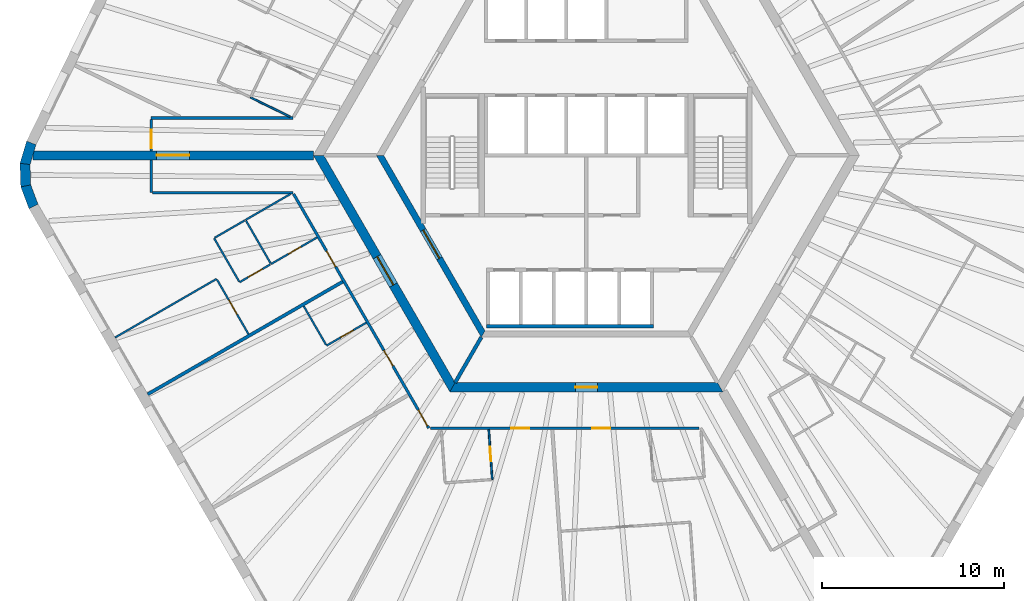
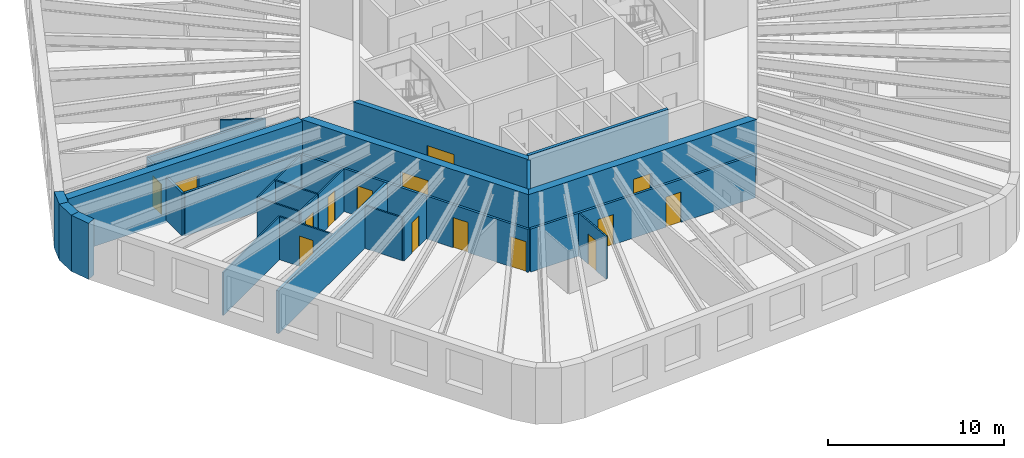
# One storey, part 3 of 10: 28 walls, 15 doors, 15 openings.
"""IFC4 building model written with IfcOpenShell, lengths in metres."""

from ifc_helpers import new_model, si_unit, direction, frame, frame_2d, origin, place, context, subcontext, project, spatial, polyline, rectangle, outline, extrude, material, layer, layer_set, type_object, element, fill, save


model = new_model("IFC4")

# Units and contexts
model_context = context("Model", 3, precision=1e-05, world=origin(), true_north=direction((0.0, 1.0)))
body_context = subcontext(model_context, "Body", "Model", "MODEL_VIEW")
ifc_project = project(units=[si_unit("LENGTHUNIT", "METRE"), si_unit("AREAUNIT", "SQUARE_METRE"), si_unit("VOLUMEUNIT", "CUBIC_METRE"), si_unit("PLANEANGLEUNIT", "RADIAN"), si_unit("MASSUNIT", "GRAM", prefix="KILO")], contexts=[model_context])

# Site, building, storey
site_placement = place(None, origin())
site = spatial("IfcSite", under=ifc_project, at=site_placement, CompositionType="ELEMENT")
building_placement = place(site_placement, origin())
building = spatial("IfcBuilding", under=site, at=building_placement, Name="Tarnside Tower", CompositionType="ELEMENT")
storey_placement = place(building_placement, frame((0.0, 0.0, 172.199951171875)))
storey = spatial("IfcBuildingStorey", under=building, at=storey_placement, Name="L40", CompositionType="ELEMENT", Elevation=172.199951171875)

# Walls
ifc_material_1 = material(Name="Gypsum board partition on steel studs", Category="steel")
ifc_layer_1 = layer(ifc_material_1, 0.10009765625)
ifc_layer_set_1 = layer_set([ifc_layer_1], Name="Bathroom wall 100")
wall_type_1 = type_object("IfcWallType", Name="Bathroom wall 100", PredefinedType="PARTITIONING", material=ifc_layer_set_1)
wall_1_placement = place(storey_placement, frame((-16.290771484375, 2.125, 0.0), z_axis=(0.0, 0.0, 1.0), x_axis=(-0.898785911157, 0.438387825909, 0.0)))
element("IfcWall", 1, at=wall_1_placement, inside=storey, type_object=wall_type_1, Name="Bathroom wall 12052", PredefinedType="PARTITIONING", context=body_context, shape_type="SweptSolid", body=[
    extrude(rectangle(XDim=2.41796875, YDim=0.10009765625, at=frame_2d((1.208984375, 0.0))), origin(), (0.0, 0.0, 1.0), 2.98779296875),
])
wall_2_placement = place(storey_placement, frame((-18.735107421875, -3.550048828125, 0.0), z_axis=(0.0, 0.0, 1.0), x_axis=(0.866025820012, 0.499999279071, 0.0)))
element("IfcWall", 2, at=wall_2_placement, inside=storey, type_object=wall_type_1, Name="Bathroom wall 12061", PredefinedType="PARTITIONING", context=body_context, shape_type="SweptSolid", body=[
    extrude(rectangle(XDim=2.85009765625, YDim=0.10009765625, at=frame_2d((1.425048828125, 0.0))), origin(), (0.0, 0.0, 1.0), 2.98779296875),
])

# Wall, opening, door
wall_3_placement = place(storey_placement, frame((-14.802001953125, -4.512451171875, 0.0), z_axis=(0.0, 0.0, 1.0), x_axis=(-0.866025730634, -0.499999433879, 0.0)))
wall_3 = element("IfcWall", 3, at=wall_3_placement, inside=storey, type_object=wall_type_1, Name="Bathroom wall 12062", PredefinedType="PARTITIONING", context=body_context, shape_type="SweptSolid", body=[
    extrude(rectangle(XDim=2.9248046875, YDim=0.10009765625, at=frame_2d((1.46240234375, 0.0))), origin(), (0.0, 0.0, 1.0), 2.98779296875),
])
opening_1_placement = place(wall_3_placement, frame((1.02490234375, 0.0, 0.0)))
opening_1 = element("IfcOpeningElement", 4, at=opening_1_placement, cuts=wall_3, Name="Opening D-B1", PredefinedType="OPENING", context=body_context, shape_type="SweptSolid", body=[
    extrude(rectangle(XDim=0.800048828125, YDim=2.10009765625, at=frame_2d((0.39990234375, 1.050048828125))), frame((0.0, 0.06005859375, 0.0), z_axis=(0.0, -1.0, 0.0), x_axis=(1.0, 0.0, 0.0)), (0.0, 0.0, 1.0), 0.1201171875),
])
ifc_material_2 = material(Name="Timber door leaf", Category="wood")
door_type_1 = type_object("IfcDoorType", Name="Bathroom door 800", OperationType="NOTDEFINED", PredefinedType="DOOR", material=ifc_material_2)
door_1_placement = place(opening_1_placement, origin())
door_1 = element("IfcDoor", 5, at=door_1_placement, inside=storey, type_object=door_type_1, Name="Bathroom door 12011", OperationType="SINGLE_SWING_RIGHT", OverallHeight=2.10009765625, OverallWidth=0.800048828125, PredefinedType="DOOR", context=body_context, shape_type="SweptSolid", body=[
    extrude(rectangle(XDim=0.800048828125, YDim=2.10009765625, at=frame_2d((0.39990234375, 1.050048828125))), frame((0.0, 0.02490234375, 0.0), z_axis=(0.0, -1.0, 0.0), x_axis=(1.0, 0.0, 0.0)), (0.0, 0.0, 1.0), 0.050048828125),
])
fill(opening_1, door_1)

# Wall
wall_4_placement = place(storey_placement, frame((-18.7099609375, -3.59326171875, 0.0), z_axis=(0.0, 0.0, 1.0), x_axis=(0.4999416173, -0.866059108428, 0.0)))
element("IfcWall", 6, at=wall_4_placement, inside=storey, type_object=wall_type_1, Name="Bathroom wall 12070", PredefinedType="PARTITIONING", context=body_context, shape_type="SweptSolid", body=[
    extrude(rectangle(XDim=2.699951171875, YDim=0.10009765625, at=frame_2d((1.35009765625, 0.0))), origin(), (0.0, 0.0, 1.0), 2.98779296875),
])

# Wall, opening, door
wall_5_placement = place(storey_placement, frame((-12.096435546875, -9.198486328125, 0.0), z_axis=(0.0, 0.0, 1.0), x_axis=(-0.866039067339, -0.499976333282, 0.0)))
wall_5 = element("IfcWall", 7, at=wall_5_placement, inside=storey, type_object=wall_type_1, Name="Bathroom wall 12072", PredefinedType="PARTITIONING", context=body_context, shape_type="SweptSolid", body=[
    extrude(rectangle(XDim=2.52490234375, YDim=0.10009765625, at=frame_2d((1.262451171875, 0.0))), origin(), (0.0, 0.0, 1.0), 2.98779296875),
])
opening_2_placement = place(wall_5_placement, frame((0.824951171875, 0.0, 0.0)))
opening_2 = element("IfcOpeningElement", 8, at=opening_2_placement, cuts=wall_5, Name="Opening D-B1", PredefinedType="OPENING", context=body_context, shape_type="SweptSolid", body=[
    extrude(rectangle(XDim=0.800048828125, YDim=2.10009765625, at=frame_2d((0.39990234375, 1.050048828125))), frame((0.0, 0.06005859375, 0.0), z_axis=(0.0, -1.0, 0.0), x_axis=(1.0, 0.0, 0.0)), (0.0, 0.0, 1.0), 0.1201171875),
])
door_2_placement = place(opening_2_placement, origin())
door_2 = element("IfcDoor", 9, at=door_2_placement, inside=storey, type_object=door_type_1, Name="Bathroom door 12015", OperationType="SINGLE_SWING_RIGHT", OverallHeight=2.10009765625, OverallWidth=0.800048828125, PredefinedType="DOOR", context=body_context, shape_type="SweptSolid", body=[
    extrude(rectangle(XDim=0.800048828125, YDim=2.10009765625, at=frame_2d((0.39990234375, 1.050048828125))), frame((0.0, 0.02490234375, 0.0), z_axis=(0.0, -1.0, 0.0), x_axis=(1.0, 0.0, 0.0)), (0.0, 0.0, 1.0), 0.050048828125),
])
fill(opening_2, door_2)

# Wall
wall_6_placement = place(storey_placement, frame((-14.30810546875, -10.417724609375, 0.0), z_axis=(0.0, 0.0, 1.0), x_axis=(-0.499960120811, 0.86604842682, 0.0)))
element("IfcWall", 10, at=wall_6_placement, inside=storey, type_object=wall_type_1, Name="Bathroom wall 12073", PredefinedType="PARTITIONING", context=body_context, shape_type="SweptSolid", body=[
    extrude(rectangle(XDim=2.460205078125, YDim=0.10009765625, at=frame_2d((1.22998046875, 0.0))), origin(), (0.0, 0.0, 1.0), 2.98779296875),
])

# Wall, opening, door
wall_7_placement = place(storey_placement, frame((-5.364013671875, -15.074951171875, 0.0), z_axis=(0.0, 0.0, 1.0), x_axis=(0.06972333312, -0.997566367125, 0.0)))
wall_7 = element("IfcWall", 11, at=wall_7_placement, inside=storey, type_object=wall_type_1, Name="Bathroom wall 12076", PredefinedType="PARTITIONING", context=body_context, shape_type="SweptSolid", body=[
    extrude(rectangle(XDim=2.755615234375, YDim=0.10009765625, at=frame_2d((1.3779296875, 0.0))), origin(), (0.0, 0.0, 1.0), 2.98779296875),
])
opening_3_placement = place(wall_7_placement, frame((0.955810546875, 0.0, 0.0)))
opening_3 = element("IfcOpeningElement", 12, at=opening_3_placement, cuts=wall_7, Name="Opening D-B1", PredefinedType="OPENING", context=body_context, shape_type="SweptSolid", body=[
    extrude(rectangle(XDim=0.800048828125, YDim=2.10009765625, at=frame_2d((0.39990234375, 1.050048828125))), frame((0.0, 0.06005859375, 0.0), z_axis=(0.0, -1.0, 0.0), x_axis=(1.0, 0.0, 0.0)), (0.0, 0.0, 1.0), 0.1201171875),
])
door_3_placement = place(opening_3_placement, origin())
door_3 = element("IfcDoor", 13, at=door_3_placement, inside=storey, type_object=door_type_1, Name="Bathroom door 12018", OperationType="SINGLE_SWING_LEFT", OverallHeight=2.10009765625, OverallWidth=0.800048828125, PredefinedType="DOOR", context=body_context, shape_type="SweptSolid", body=[
    extrude(rectangle(XDim=0.800048828125, YDim=2.10009765625, at=frame_2d((0.39990234375, 1.050048828125))), frame((0.0, 0.02490234375, 0.0), z_axis=(0.0, -1.0, 0.0), x_axis=(1.0, 0.0, 0.0)), (0.0, 0.0, 1.0), 0.050048828125),
])
fill(opening_3, door_3)

ifc_material_3 = material(Name="Concrete C50/60", Category="concrete")
ifc_layer_2 = layer(ifc_material_3, 0.35009765625)
ifc_layer_set_2 = layer_set([ifc_layer_2], Name="Core block wall 350 C50/60")
wall_type_2 = type_object("IfcWallType", Name="Core block wall 350 C50/60", PredefinedType="SHEAR", material=ifc_layer_set_2)
wall_8_placement = place(storey_placement, frame((-11.344970703125, 0.0, -0.14990234375), z_axis=(0.0, 0.0, 1.0), x_axis=(0.499995046907, -0.866028263435, 0.0)))
wall_8 = element("IfcWall", 14, at=wall_8_placement, inside=storey, type_object=wall_type_2, Name="L40 core block wall face 3", PredefinedType="SHEAR", context=body_context, shape_type="SweptSolid", body=[
    extrude(outline(polyline([(-0.10107421875, -0.175048828125), (11.44580078125, -0.175048828125), (11.24365234375, 0.175048828125), (0.10107421875, 0.175048828125), (-0.10107421875, -0.175048828125)])), origin(), (0.0, 0.0, 1.0), 3.89990234375),
])
opening_4_placement = place(wall_8_placement, frame((4.74365234375, 0.0, 0.14990234375)))
opening_4 = element("IfcOpeningElement", 15, at=opening_4_placement, cuts=wall_8, Name="Opening CD-FFL", PredefinedType="OPENING", context=body_context, shape_type="SweptSolid", body=[
    extrude(rectangle(XDim=1.800048828125, YDim=2.39990234375, at=frame_2d((0.89990234375, 1.199951171875))), frame((0.0, 0.18505859375, 0.0), z_axis=(0.0, -1.0, 0.0), x_axis=(1.0, 0.0, 0.0)), (0.0, 0.0, 1.0), 0.3701171875),
])
ifc_material_4 = material(Name="Steel fire door", Category="steel")
door_type_2 = type_object("IfcDoorType", Name="Firefighting lobby double door FD60S 1800x2400", OperationType="NOTDEFINED", PredefinedType="DOOR", material=ifc_material_4)
door_4_placement = place(opening_4_placement, origin())
door_4 = element("IfcDoor", 16, at=door_4_placement, inside=storey, type_object=door_type_2, Name="L40 lobby block door P3", OperationType="DOUBLE_DOOR_SINGLE_SWING", OverallHeight=2.39990234375, OverallWidth=1.800048828125, PredefinedType="DOOR", context=body_context, shape_type="SweptSolid", body=[
    extrude(rectangle(XDim=1.800048828125, YDim=2.39990234375, at=frame_2d((0.89990234375, 1.199951171875))), frame((0.0, 0.02490234375, 0.0), z_axis=(0.0, -1.0, 0.0), x_axis=(1.0, 0.0, 0.0)), (0.0, 0.0, 1.0), 0.050048828125),
])
fill(opening_4, door_4)

ifc_material_5 = material(Name="Concrete C70/85", Category="concrete")
ifc_layer_3 = layer(ifc_material_5, 0.5)
ifc_layer_set_3 = layer_set([ifc_layer_3], Name="Core wall Z2 500 C70/85")
wall_type_3 = type_object("IfcWallType", Name="Core wall Z2 500 C70/85", PredefinedType="SHEAR", material=ifc_layer_set_3)
wall_9_placement = place(storey_placement, frame((-14.722412109375, 0.0, -0.14990234375), z_axis=(0.0, 0.0, 1.0), x_axis=(0.50000571537, -0.866022103989, 0.0)))
wall_9 = element("IfcWall", 17, at=wall_9_placement, inside=storey, type_object=wall_type_3, Name="L40 core wall face 3", PredefinedType="SHEAR", context=body_context, shape_type="SweptSolid", body=[
    extrude(outline(polyline([(-0.144287109375, -0.25), (14.86669921875, -0.25), (14.578125, 0.25), (0.144287109375, 0.25), (-0.144287109375, -0.25)])), origin(), (0.0, 0.0, 1.0), 3.89990234375),
])
opening_5_placement = place(wall_9_placement, frame((6.432373046875, 0.0, 0.14990234375)))
opening_5 = element("IfcOpeningElement", 18, at=opening_5_placement, cuts=wall_9, Name="Opening CD-FFL", PredefinedType="OPENING", context=body_context, shape_type="SweptSolid", body=[
    extrude(rectangle(XDim=1.800048828125, YDim=2.39990234375, at=frame_2d((0.89990234375, 1.199951171875))), frame((0.0, 0.260009765625, 0.0), z_axis=(0.0, -1.0, 0.0), x_axis=(1.0, 0.0, 0.0)), (0.0, 0.0, 1.0), 0.52001953125),
])
door_5_placement = place(opening_5_placement, origin())
door_5 = element("IfcDoor", 19, at=door_5_placement, inside=storey, type_object=door_type_2, Name="L40 core door P3", OperationType="DOUBLE_DOOR_SINGLE_SWING", OverallHeight=2.39990234375, OverallWidth=1.800048828125, PredefinedType="DOOR", context=body_context, shape_type="SweptSolid", body=[
    extrude(rectangle(XDim=1.800048828125, YDim=2.39990234375, at=frame_2d((0.89990234375, 1.199951171875))), frame((0.0, 0.02490234375, 0.0), z_axis=(0.0, -1.0, 0.0), x_axis=(1.0, 0.0, 0.0)), (0.0, 0.0, 1.0), 0.050048828125),
])
fill(opening_5, door_5)

wall_10_placement = place(storey_placement, frame((-7.361083984375, -12.75, -0.14990234375), z_axis=(0.0, 0.0, 1.0), x_axis=(1.0, 0.0, 0.0)))
wall_10 = element("IfcWall", 20, at=wall_10_placement, inside=storey, type_object=wall_type_3, Name="L40 core wall face 4", PredefinedType="SHEAR", context=body_context, shape_type="SweptSolid", body=[
    extrude(outline(polyline([(-0.144287109375, -0.25), (14.866455078125, -0.25), (14.577880859375, 0.25), (0.144287109375, 0.25), (-0.144287109375, -0.25)])), origin(), (0.0, 0.0, 1.0), 3.89990234375),
])
opening_6_placement = place(wall_10_placement, frame((6.76123046875, 0.0, 0.14990234375)))
opening_6 = element("IfcOpeningElement", 21, at=opening_6_placement, cuts=wall_10, Name="Opening CD-RSR", PredefinedType="OPENING", context=body_context, shape_type="SweptSolid", body=[
    extrude(rectangle(XDim=1.199951171875, YDim=2.39990234375, at=frame_2d((0.60009765625, 1.199951171875))), frame((0.0, 0.260009765625, 0.0), z_axis=(0.0, -1.0, 0.0), x_axis=(1.0, 0.0, 0.0)), (0.0, 0.0, 1.0), 0.52001953125),
])
door_type_3 = type_object("IfcDoorType", Name="Riser door FD60 1200x2400", OperationType="NOTDEFINED", PredefinedType="DOOR", material=ifc_material_4)
door_6_placement = place(opening_6_placement, origin())
door_6 = element("IfcDoor", 22, at=door_6_placement, inside=storey, type_object=door_type_3, Name="L40 core door S6", OperationType="SINGLE_SWING_LEFT", OverallHeight=2.39990234375, OverallWidth=1.199951171875, PredefinedType="DOOR", context=body_context, shape_type="SweptSolid", body=[
    extrude(rectangle(XDim=1.199951171875, YDim=2.39990234375, at=frame_2d((0.60009765625, 1.199951171875))), frame((0.0, 0.02490234375, 0.0), z_axis=(0.0, -1.0, 0.0), x_axis=(1.0, 0.0, 0.0)), (0.0, 0.0, 1.0), 0.050048828125),
])
fill(opening_6, door_6)

wall_11_placement = place(storey_placement, frame((-15.010986328125, 0.0, -0.14990234375), z_axis=(0.0, 0.0, 1.0), x_axis=(-1.0, 0.0, 0.0)))
wall_11 = element("IfcWall", 23, at=wall_11_placement, inside=storey, type_object=wall_type_3, Name="L40 spine wall 2", PredefinedType="SHEAR", context=body_context, shape_type="SweptSolid", body=[
    extrude(rectangle(XDim=15.423828125, YDim=0.5, at=frame_2d((7.7119140625, 0.0))), origin(), (0.0, 0.0, 1.0), 3.89990234375),
])
opening_7_placement = place(wall_11_placement, frame((6.811767578125, 0.0, 0.14990234375)))
opening_7 = element("IfcOpeningElement", 24, at=opening_7_placement, cuts=wall_11, Name="Opening CD-SPN", PredefinedType="OPENING", context=body_context, shape_type="SweptSolid", body=[
    extrude(rectangle(XDim=1.800048828125, YDim=2.39990234375, at=frame_2d((0.89990234375, 1.199951171875))), frame((0.0, 0.260009765625, 0.0), z_axis=(0.0, -1.0, 0.0), x_axis=(1.0, 0.0, 0.0)), (0.0, 0.0, 1.0), 0.52001953125),
])
door_type_4 = type_object("IfcDoorType", Name="Spine passage double door FD60 1800x2400", OperationType="NOTDEFINED", PredefinedType="DOOR", material=ifc_material_4)
door_7_placement = place(opening_7_placement, origin())
door_7 = element("IfcDoor", 25, at=door_7_placement, inside=storey, type_object=door_type_4, Name="L40 spine passage door 2", OperationType="DOUBLE_DOOR_SINGLE_SWING", OverallHeight=2.39990234375, OverallWidth=1.800048828125, PredefinedType="DOOR", context=body_context, shape_type="SweptSolid", body=[
    extrude(rectangle(XDim=1.800048828125, YDim=2.39990234375, at=frame_2d((0.89990234375, 1.199951171875))), frame((0.0, 0.02490234375, 0.0), z_axis=(0.0, -1.0, 0.0), x_axis=(1.0, 0.0, 0.0)), (0.0, 0.0, 1.0), 0.050048828125),
])
fill(opening_7, door_7)

# Wall
ifc_layer_4 = layer(ifc_material_1, 0.14990234375)
ifc_layer_set_4 = layer_set([ifc_layer_4], Name="Corridor wall 150 EI 60")
wall_type_4 = type_object("IfcWallType", Name="Corridor wall 150 EI 60", PredefinedType="PARTITIONING", material=ifc_layer_set_4)
wall_12_placement = place(storey_placement, frame((-16.136962890625, 2.050048828125, 0.0), z_axis=(0.0, 0.0, 1.0), x_axis=(-1.0, 0.0, 0.0)))
element("IfcWall", 26, at=wall_12_placement, inside=storey, type_object=wall_type_4, Name="Corridor wall 12009", PredefinedType="PARTITIONING", context=body_context, shape_type="SweptSolid", body=[
    extrude(rectangle(XDim=7.785888671875, YDim=0.14990234375, at=frame_2d((3.89306640625, 0.0))), origin(), (0.0, 0.0, 1.0), 2.98779296875),
])

# Wall, opening, door
wall_13_placement = place(storey_placement, frame((-23.9228515625, 1.97509765625, 0.0), z_axis=(0.0, 0.0, 1.0), x_axis=(0.0, -1.0, 0.0)))
wall_13 = element("IfcWall", 27, at=wall_13_placement, inside=storey, type_object=wall_type_4, Name="Corridor wall 12013", PredefinedType="PARTITIONING", context=body_context, shape_type="SweptSolid", body=[
    extrude(rectangle(XDim=1.72509765625, YDim=0.14990234375, at=frame_2d((0.862548828125, 0.0))), origin(), (0.0, 0.0, 1.0), 2.98779296875),
])
opening_8_placement = place(wall_13_placement, frame((0.574951171875, 0.0, 0.0)))
opening_8 = element("IfcOpeningElement", 28, at=opening_8_placement, cuts=wall_13, Name="Opening D-E1", PredefinedType="OPENING", context=body_context, shape_type="SweptSolid", body=[
    extrude(rectangle(XDim=1.0, YDim=2.10009765625, at=frame_2d((0.5, 1.050048828125))), frame((0.0, 0.0849609375, 0.0), z_axis=(0.0, -1.0, 0.0), x_axis=(1.0, 0.0, 0.0)), (0.0, 0.0, 1.0), 0.169921875),
])
door_type_5 = type_object("IfcDoorType", Name="Unit entrance door 1000 FD30S", OperationType="NOTDEFINED", PredefinedType="DOOR", material=ifc_material_2)
door_8_placement = place(opening_8_placement, origin())
door_8 = element("IfcDoor", 29, at=door_8_placement, inside=storey, type_object=door_type_5, Name="Unit door 12009", OperationType="SINGLE_SWING_LEFT", OverallHeight=2.10009765625, OverallWidth=1.0, PredefinedType="DOOR", context=body_context, shape_type="SweptSolid", body=[
    extrude(rectangle(XDim=1.0, YDim=2.10009765625, at=frame_2d((0.5, 1.050048828125))), frame((0.0, 0.02490234375, 0.0), z_axis=(0.0, -1.0, 0.0), x_axis=(1.0, 0.0, 0.0)), (0.0, 0.0, 1.0), 0.050048828125),
])
fill(opening_8, door_8)

# Walls
wall_14_placement = place(storey_placement, frame((-23.9228515625, -0.25, 0.0), z_axis=(0.0, 0.0, 1.0), x_axis=(0.0, -1.0, 0.0)))
element("IfcWall", 30, at=wall_14_placement, inside=storey, type_object=wall_type_4, Name="Corridor wall 12014", PredefinedType="PARTITIONING", context=body_context, shape_type="SweptSolid", body=[
    extrude(rectangle(XDim=1.800048828125, YDim=0.14990234375, at=frame_2d((0.89990234375, 0.0))), origin(), (0.0, 0.0, 1.0), 2.98779296875),
])
wall_15_placement = place(storey_placement, frame((-23.847900390625, -2.050048828125, 0.0), z_axis=(0.0, 0.0, 1.0), x_axis=(1.0, 0.0, 0.0)))
element("IfcWall", 31, at=wall_15_placement, inside=storey, type_object=wall_type_4, Name="Corridor wall 12015", PredefinedType="PARTITIONING", context=body_context, shape_type="SweptSolid", body=[
    extrude(rectangle(XDim=7.7109375, YDim=0.14990234375, at=frame_2d((3.85546875, 0.0))), origin(), (0.0, 0.0, 1.0), 2.98779296875),
])

# Wall, openings, doors
wall_16_placement = place(storey_placement, frame((-16.09375, -2.125, 0.0), z_axis=(0.0, 0.0, 1.0), x_axis=(0.500010545262, -0.866019315389, 0.0)))
wall_16 = element("IfcWall", 32, at=wall_16_placement, inside=storey, type_object=wall_type_4, Name="Corridor wall 12016", PredefinedType="PARTITIONING", context=body_context, shape_type="SweptSolid", body=[
    extrude(rectangle(XDim=14.866943359375, YDim=0.14990234375, at=frame_2d((7.43359375, 0.0))), origin(), (0.0, 0.0, 1.0), 2.98779296875),
])
opening_9_placement = place(wall_16_placement, frame((3.618896484375, 0.0, 0.0)))
opening_9 = element("IfcOpeningElement", 33, at=opening_9_placement, cuts=wall_16, Name="Opening D-E1", PredefinedType="OPENING", context=body_context, shape_type="SweptSolid", body=[
    extrude(rectangle(XDim=1.0, YDim=2.10009765625, at=frame_2d((0.5, 1.050048828125))), frame((0.0, 0.0849609375, 0.0), z_axis=(0.0, -1.0, 0.0), x_axis=(1.0, 0.0, 0.0)), (0.0, 0.0, 1.0), 0.169921875),
])
opening_10_placement = place(wall_16_placement, frame((9.92431640625, 0.0, 0.0)))
opening_10 = element("IfcOpeningElement", 34, at=opening_10_placement, cuts=wall_16, Name="Opening D-E1", PredefinedType="OPENING", context=body_context, shape_type="SweptSolid", body=[
    extrude(rectangle(XDim=1.0, YDim=2.10009765625, at=frame_2d((0.5, 1.050048828125))), frame((0.0, 0.0849609375, 0.0), z_axis=(0.0, -1.0, 0.0), x_axis=(1.0, 0.0, 0.0)), (0.0, 0.0, 1.0), 0.169921875),
])
opening_11_placement = place(wall_16_placement, frame((13.716796875, 0.0, 0.0)))
opening_11 = element("IfcOpeningElement", 35, at=opening_11_placement, cuts=wall_16, Name="Opening D-E1", PredefinedType="OPENING", context=body_context, shape_type="SweptSolid", body=[
    extrude(rectangle(XDim=1.0, YDim=2.10009765625, at=frame_2d((0.5, 1.050048828125))), frame((0.0, 0.0849609375, 0.0), z_axis=(0.0, -1.0, 0.0), x_axis=(1.0, 0.0, 0.0)), (0.0, 0.0, 1.0), 0.169921875),
])
door_9_placement = place(opening_9_placement, origin())
door_9 = element("IfcDoor", 36, at=door_9_placement, inside=storey, type_object=door_type_5, Name="Unit door 12010", OperationType="SINGLE_SWING_RIGHT", OverallHeight=2.10009765625, OverallWidth=1.0, PredefinedType="DOOR", context=body_context, shape_type="SweptSolid", body=[
    extrude(rectangle(XDim=1.0, YDim=2.10009765625, at=frame_2d((0.5, 1.050048828125))), frame((0.0, 0.02490234375, 0.0), z_axis=(0.0, -1.0, 0.0), x_axis=(1.0, 0.0, 0.0)), (0.0, 0.0, 1.0), 0.050048828125),
])
fill(opening_9, door_9)
door_10_placement = place(opening_10_placement, origin())
door_10 = element("IfcDoor", 37, at=door_10_placement, inside=storey, type_object=door_type_5, Name="Unit door 12014", OperationType="SINGLE_SWING_RIGHT", OverallHeight=2.10009765625, OverallWidth=1.0, PredefinedType="DOOR", context=body_context, shape_type="SweptSolid", body=[
    extrude(rectangle(XDim=1.0, YDim=2.10009765625, at=frame_2d((0.5, 1.050048828125))), frame((0.0, 0.02490234375, 0.0), z_axis=(0.0, -1.0, 0.0), x_axis=(1.0, 0.0, 0.0)), (0.0, 0.0, 1.0), 0.050048828125),
])
fill(opening_10, door_10)
door_11_placement = place(opening_11_placement, origin())
door_11 = element("IfcDoor", 38, at=door_11_placement, inside=storey, type_object=door_type_5, Name="Unit door 12016", OperationType="SINGLE_SWING_LEFT", OverallHeight=2.10009765625, OverallWidth=1.0, PredefinedType="DOOR", context=body_context, shape_type="SweptSolid", body=[
    extrude(rectangle(XDim=1.0, YDim=2.10009765625, at=frame_2d((0.5, 1.050048828125))), frame((0.0, 0.02490234375, 0.0), z_axis=(0.0, -1.0, 0.0), x_axis=(1.0, 0.0, 0.0)), (0.0, 0.0, 1.0), 0.050048828125),
])
fill(opening_11, door_11)

wall_17_placement = place(storey_placement, frame((-8.57373046875, -15.0, 0.0), z_axis=(0.0, 0.0, 1.0), x_axis=(1.0, 0.0, 0.0)))
wall_17 = element("IfcWall", 39, at=wall_17_placement, inside=storey, type_object=wall_type_4, Name="Corridor wall 12021", PredefinedType="PARTITIONING", context=body_context, shape_type="SweptSolid", body=[
    extrude(rectangle(XDim=14.7802734375, YDim=0.14990234375, at=frame_2d((7.39013671875, 0.0))), origin(), (0.0, 0.0, 1.0), 2.98779296875),
])
opening_12_placement = place(wall_17_placement, frame((4.444580078125, 0.0, 0.0)))
opening_12 = element("IfcOpeningElement", 40, at=opening_12_placement, cuts=wall_17, Name="Opening D-E1", PredefinedType="OPENING", context=body_context, shape_type="SweptSolid", body=[
    extrude(rectangle(XDim=1.0, YDim=2.10009765625, at=frame_2d((0.5, 1.050048828125))), frame((0.0, 0.0849609375, 0.0), z_axis=(0.0, -1.0, 0.0), x_axis=(1.0, 0.0, 0.0)), (0.0, 0.0, 1.0), 0.169921875),
])
opening_13_placement = place(wall_17_placement, frame((8.885498046875, 0.0, 0.0)))
opening_13 = element("IfcOpeningElement", 41, at=opening_13_placement, cuts=wall_17, Name="Opening D-E1", PredefinedType="OPENING", context=body_context, shape_type="SweptSolid", body=[
    extrude(rectangle(XDim=1.0, YDim=2.10009765625, at=frame_2d((0.5, 1.050048828125))), frame((0.0, 0.0849609375, 0.0), z_axis=(0.0, -1.0, 0.0), x_axis=(1.0, 0.0, 0.0)), (0.0, 0.0, 1.0), 0.169921875),
])
door_12_placement = place(opening_12_placement, origin())
door_12 = element("IfcDoor", 42, at=door_12_placement, inside=storey, type_object=door_type_5, Name="Unit door 12017", OperationType="SINGLE_SWING_LEFT", OverallHeight=2.10009765625, OverallWidth=1.0, PredefinedType="DOOR", context=body_context, shape_type="SweptSolid", body=[
    extrude(rectangle(XDim=1.0, YDim=2.10009765625, at=frame_2d((0.5, 1.050048828125))), frame((0.0, 0.02490234375, 0.0), z_axis=(0.0, -1.0, 0.0), x_axis=(1.0, 0.0, 0.0)), (0.0, 0.0, 1.0), 0.050048828125),
])
fill(opening_12, door_12)
door_13_placement = place(opening_13_placement, origin())
door_13 = element("IfcDoor", 43, at=door_13_placement, inside=storey, type_object=door_type_5, Name="Unit door 12019", OperationType="SINGLE_SWING_RIGHT", OverallHeight=2.10009765625, OverallWidth=1.0, PredefinedType="DOOR", context=body_context, shape_type="SweptSolid", body=[
    extrude(rectangle(XDim=1.0, YDim=2.10009765625, at=frame_2d((0.5, 1.050048828125))), frame((0.0, 0.02490234375, 0.0), z_axis=(0.0, -1.0, 0.0), x_axis=(1.0, 0.0, 0.0)), (0.0, 0.0, 1.0), 0.050048828125),
])
fill(opening_13, door_13)

# Walls
ifc_layer_5 = layer(ifc_material_1, 0.179931640625)
ifc_layer_set_5 = layer_set([ifc_layer_5], Name="Demising wall 180 EI 60")
wall_type_5 = type_object("IfcWallType", Name="Demising wall 180 EI 60", PredefinedType="PARTITIONING", material=ifc_layer_set_5)
wall_18_placement = place(storey_placement, frame((-24.113525390625, -13.13427734375, 0.0), z_axis=(0.0, 0.0, 1.0), x_axis=(0.866024931941, 0.500000817256, 0.0)))
element("IfcWall", 44, at=wall_18_placement, inside=storey, type_object=wall_type_5, Name="Demising wall 12068", PredefinedType="PARTITIONING", context=body_context, shape_type="SweptSolid", body=[
    extrude(rectangle(XDim=12.375, YDim=0.179931640625, at=frame_2d((6.1875, 0.0))), origin(), (0.0, 0.0, 1.0), 2.98779296875),
])
ifc_material_6 = material(Name="Concrete C40/50", Category="concrete")
ifc_layer_6 = layer(ifc_material_6, 0.199951171875)
ifc_layer_set_6 = layer_set([ifc_layer_6], Name="Lift shaft wall 200 C40/50")
wall_type_6 = type_object("IfcWallType", Name="Lift shaft wall 200 C40/50", PredefinedType="SHEAR", material=ifc_layer_set_6)
wall_19_placement = place(storey_placement, frame((-5.5, -9.39990234375, -0.25), z_axis=(0.0, 0.0, 1.0), x_axis=(1.0, 0.0, 0.0)))
element("IfcWall", 45, at=wall_19_placement, inside=storey, type_object=wall_type_6, Name="L40 lift shaft back wall R4", PredefinedType="SHEAR", context=body_context, shape_type="SweptSolid", body=[
    extrude(rectangle(XDim=9.199951171875, YDim=0.199951171875, at=frame_2d((4.60009765625, 0.0))), origin(), (0.0, 0.0, 1.0), 3.900146484375),
])
wall_20_placement = place(storey_placement, frame((-5.7734375, -10.0, -0.14990234375), z_axis=(0.0, 0.0, 1.0), x_axis=(-0.499995765644, -0.866027848477, 0.0)))
element("IfcWall", 46, at=wall_20_placement, inside=storey, type_object=wall_type_6, Name="L40 core partition AR240", PredefinedType="SHEAR", context=body_context, shape_type="SweptSolid", body=[
    extrude(rectangle(XDim=2.88671875, YDim=0.199951171875, at=frame_2d((1.443359375, 0.0))), origin(), (0.0, 0.0, 1.0), 3.89990234375),
])

# Wall, opening, door
ifc_layer_7 = layer(ifc_material_1, 0.10009765625)
ifc_layer_set_7 = layer_set([ifc_layer_7], Name="Partition 100")
wall_type_7 = type_object("IfcWallType", Name="Partition 100", PredefinedType="PARTITIONING", material=ifc_layer_set_7)
wall_21_placement = place(storey_placement, frame((-17.37841796875, -5.999755859375, 0.0), z_axis=(0.0, 0.0, 1.0), x_axis=(-0.866000020948, -0.500043961785, 0.0)))
wall_21 = element("IfcWall", 47, at=wall_21_placement, inside=storey, type_object=wall_type_7, Name="Partition wall 12063", PredefinedType="PARTITIONING", context=body_context, shape_type="SweptSolid", body=[
    extrude(rectangle(XDim=1.949951171875, YDim=0.10009765625, at=frame_2d((0.97509765625, 0.0))), origin(), (0.0, 0.0, 1.0), 2.98779296875),
])
opening_14_placement = place(wall_21_placement, frame((0.5, 0.0, 0.0)))
opening_14 = element("IfcOpeningElement", 48, at=opening_14_placement, cuts=wall_21, Name="Opening D-I1", PredefinedType="OPENING", context=body_context, shape_type="SweptSolid", body=[
    extrude(rectangle(XDim=0.89990234375, YDim=2.10009765625, at=frame_2d((0.449951171875, 1.050048828125))), frame((0.0, 0.06005859375, 0.0), z_axis=(0.0, -1.0, 0.0), x_axis=(1.0, 0.0, 0.0)), (0.0, 0.0, 1.0), 0.1201171875),
])
door_type_6 = type_object("IfcDoorType", Name="Internal door 900", OperationType="NOTDEFINED", PredefinedType="DOOR", material=ifc_material_2)
door_14_placement = place(opening_14_placement, origin())
door_14 = element("IfcDoor", 49, at=door_14_placement, inside=storey, type_object=door_type_6, Name="Internal door 12012", OperationType="SINGLE_SWING_RIGHT", OverallHeight=2.10009765625, OverallWidth=0.89990234375, PredefinedType="DOOR", context=body_context, shape_type="SweptSolid", body=[
    extrude(rectangle(XDim=0.89990234375, YDim=2.10009765625, at=frame_2d((0.449951171875, 1.050048828125))), frame((0.0, 0.02490234375, 0.0), z_axis=(0.0, -1.0, 0.0), x_axis=(1.0, 0.0, 0.0)), (0.0, 0.0, 1.0), 0.050048828125),
])
fill(opening_14, door_14)

# Walls
wall_22_placement = place(storey_placement, frame((-19.092041015625, -6.931640625, 0.0), z_axis=(0.0, 0.0, 1.0), x_axis=(-0.499996545922, 0.866027397988, 0.0)))
element("IfcWall", 50, at=wall_22_placement, inside=storey, type_object=wall_type_7, Name="Partition wall 12064", PredefinedType="PARTITIONING", context=body_context, shape_type="SweptSolid", body=[
    extrude(rectangle(XDim=2.75, YDim=0.10009765625, at=frame_2d((1.375, 0.0))), origin(), (0.0, 0.0, 1.0), 2.98779296875),
])
wall_23_placement = place(storey_placement, frame((-20.423828125, -4.52490234375, 0.0), z_axis=(0.0, 0.0, 1.0), x_axis=(0.866044365799, 0.499967155389, 0.0)))
element("IfcWall", 51, at=wall_23_placement, inside=storey, type_object=wall_type_7, Name="Partition wall 12065", PredefinedType="PARTITIONING", context=body_context, shape_type="SweptSolid", body=[
    extrude(rectangle(XDim=1.900146484375, YDim=0.10009765625, at=frame_2d((0.9501953125, 0.0))), origin(), (0.0, 0.0, 1.0), 2.98779296875),
])
wall_24_placement = place(storey_placement, frame((-25.91357421875, -10.0166015625, 0.0), z_axis=(0.0, 0.0, 1.0), x_axis=(0.866021702275, 0.500006411147, 0.0)))
element("IfcWall", 52, at=wall_24_placement, inside=storey, type_object=wall_type_7, Name="Partition wall 12066", PredefinedType="PARTITIONING", context=body_context, shape_type="SweptSolid", body=[
    extrude(rectangle(XDim=6.4501953125, YDim=0.10009765625, at=frame_2d((3.22509765625, 0.0))), origin(), (0.0, 0.0, 1.0), 2.98779296875),
])

# Wall, opening, door
wall_25_placement = place(storey_placement, frame((-20.302490234375, -6.8349609375, 0.0), z_axis=(0.0, 0.0, 1.0), x_axis=(0.500009533716, -0.866019899421, 0.0)))
wall_25 = element("IfcWall", 53, at=wall_25_placement, inside=storey, type_object=wall_type_7, Name="Partition wall 12067", PredefinedType="PARTITIONING", context=body_context, shape_type="SweptSolid", body=[
    extrude(rectangle(XDim=3.4599609375, YDim=0.10009765625, at=frame_2d((1.72998046875, 0.0))), origin(), (0.0, 0.0, 1.0), 2.98779296875),
])
opening_15_placement = place(wall_25_placement, frame((1.300048828125, 0.0, 0.0)))
opening_15 = element("IfcOpeningElement", 54, at=opening_15_placement, cuts=wall_25, Name="Opening D-I1", PredefinedType="OPENING", context=body_context, shape_type="SweptSolid", body=[
    extrude(rectangle(XDim=0.89990234375, YDim=2.10009765625, at=frame_2d((0.449951171875, 1.050048828125))), frame((0.0, 0.06005859375, 0.0), z_axis=(0.0, -1.0, 0.0), x_axis=(1.0, 0.0, 0.0)), (0.0, 0.0, 1.0), 0.1201171875),
])
door_15_placement = place(opening_15_placement, origin())
door_15 = element("IfcDoor", 55, at=door_15_placement, inside=storey, type_object=door_type_6, Name="Internal door 12013", OperationType="SINGLE_SWING_RIGHT", OverallHeight=2.10009765625, OverallWidth=0.89990234375, PredefinedType="DOOR", context=body_context, shape_type="SweptSolid", body=[
    extrude(rectangle(XDim=0.89990234375, YDim=2.10009765625, at=frame_2d((0.449951171875, 1.050048828125))), frame((0.0, 0.02490234375, 0.0), z_axis=(0.0, -1.0, 0.0), x_axis=(1.0, 0.0, 0.0)), (0.0, 0.0, 1.0), 0.050048828125),
])
fill(opening_15, door_15)

# Walls
ifc_material_7 = material(Name="Facing brick", Category="masonry")
ifc_layer_8 = layer(ifc_material_7, 0.10205078125)
ifc_material_8 = material(Name="Concrete C60/75 precast", Category="concrete")
ifc_layer_9 = layer(ifc_material_8, 0.347900390625)
ifc_material_9 = material(Name="Mineral wool insulation")
ifc_layer_10 = layer(ifc_material_9, 0.10009765625)
ifc_layer_set_8 = layer_set([ifc_layer_8, ifc_layer_9, ifc_layer_10], Name="Tube wall 550 brick faced")
wall_type_8 = type_object("IfcWallType", Name="Tube wall 550 brick faced", PredefinedType="SOLIDWALL", material=ifc_layer_set_8)
wall_26_placement = place(storey_placement, frame((-30.51318359375, 0.684326171875, -0.14990234375), z_axis=(0.0, 0.0, 1.0), x_axis=(-0.286736058109, -0.958009620505, 0.0)))
element("IfcWall", 56, at=wall_26_placement, inside=storey, type_object=wall_type_8, Name="Tube wall L40 F2 chord 05", PredefinedType="SOLIDWALL", context=body_context, shape_type="SweptSolid", body=[
    extrude(outline(polyline([(-0.0224609375, -0.27490234375), (1.25341796875, -0.27490234375), (1.1630859375, 0.27490234375), (0.0224609375, 0.27490234375), (-0.0224609375, -0.27490234375)])), origin(), (0.0, 0.0, 1.0), 3.89990234375),
])
wall_27_placement = place(storey_placement, frame((-30.859619140625, -0.47314453125, -0.14990234375), z_axis=(0.0, 0.0, 1.0), x_axis=(0.03495638276, -0.999388838893, 0.0)))
element("IfcWall", 57, at=wall_27_placement, inside=storey, type_object=wall_type_8, Name="Tube wall L40 F2 chord 06", PredefinedType="SOLIDWALL", context=body_context, shape_type="SweptSolid", body=[
    extrude(outline(polyline([(-0.045166015625, -0.27490234375), (1.25341796875, -0.27490234375), (1.1630859375, 0.27490234375), (0.045166015625, 0.27490234375), (-0.045166015625, -0.27490234375)])), origin(), (0.0, 0.0, 1.0), 3.89990234375),
])
wall_28_placement = place(storey_placement, frame((-30.8173828125, -1.6806640625, -0.14990234375), z_axis=(0.0, 0.0, 1.0), x_axis=(0.352850303963, -0.935679786569, 0.0)))
element("IfcWall", 58, at=wall_28_placement, inside=storey, type_object=wall_type_8, Name="Tube wall L40 F2 chord 07", PredefinedType="SOLIDWALL", context=body_context, shape_type="SweptSolid", body=[
    extrude(outline(polyline([(-0.045166015625, -0.27490234375), (1.23046875, -0.27490234375), (1.185546875, 0.27490234375), (0.045166015625, 0.27490234375), (-0.045166015625, -0.27490234375)])), origin(), (0.0, 0.0, 1.0), 3.89990234375),
])

save(model, "model.ifc")
